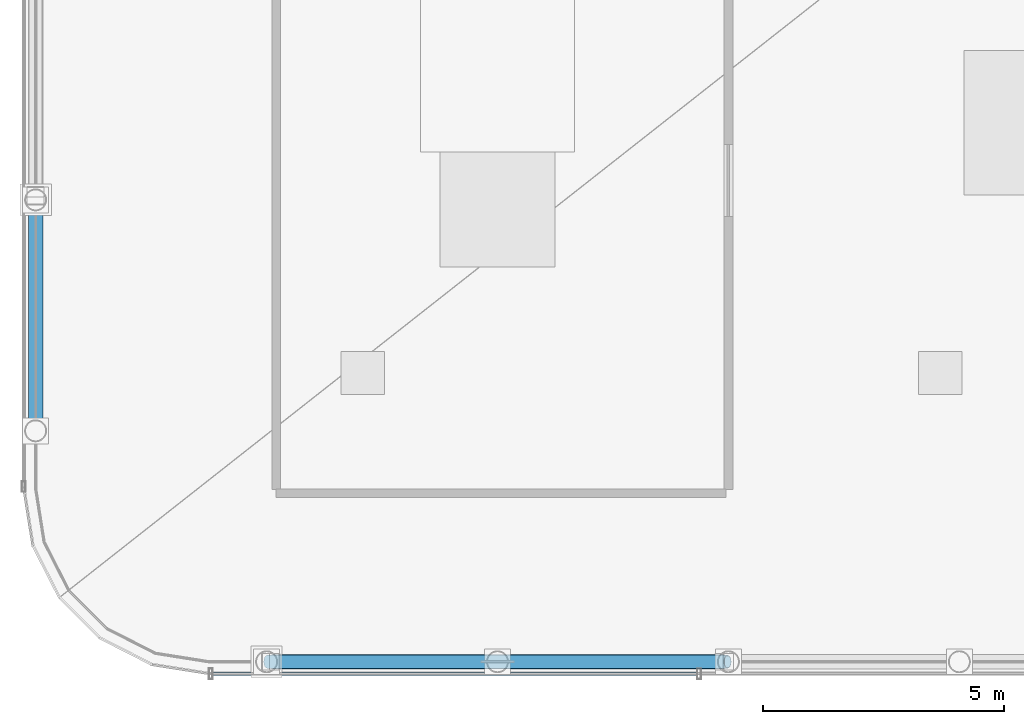
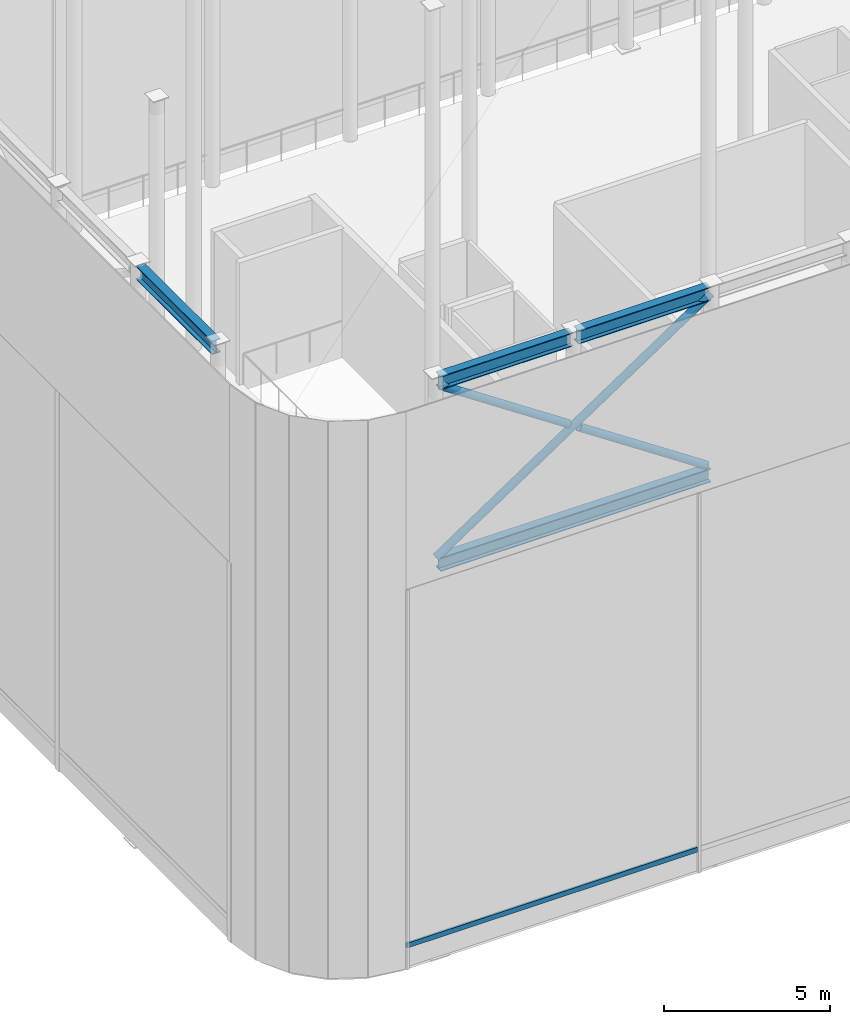
# One storey, part 5 of 42: 4 beams, 4 members, 1 element without a shape of its own.
"""IFC4 building model written with IfcOpenShell, lengths in metres."""

from ifc_helpers import new_model, si_unit, direction, frame, origin, origin_2d, place, context, subcontext, project, spatial, hollow_rectangle, hollow_circle, i_section, extrude, material, layer, layer_set, material_profile, profile_set, type_object, element, aggregate, save


model = new_model("IFC4")

# Units and contexts
model_context = context("Model", 3, precision=1e-05, world=origin(), true_north=direction((0.0, 1.0)))
body_context = subcontext(model_context, "Body", "Model", "MODEL_VIEW")
ifc_project = project(units=[si_unit("LENGTHUNIT", "METRE"), si_unit("AREAUNIT", "SQUARE_METRE"), si_unit("VOLUMEUNIT", "CUBIC_METRE"), si_unit("PLANEANGLEUNIT", "RADIAN"), si_unit("MASSUNIT", "GRAM", prefix="KILO")], contexts=[model_context])

# Site, building, storey
site_placement = place(None, origin())
site = spatial("IfcSite", under=ifc_project, at=site_placement, CompositionType="ELEMENT")
building_placement = place(site_placement, origin())
building = spatial("IfcBuilding", under=site, at=building_placement, Name="Kallvorn Hotel Tower", CompositionType="ELEMENT")
storey_placement = place(building_placement, frame((0.0, 0.0, 306.0)))
storey = spatial("IfcBuildingStorey", under=building, at=storey_placement, Name="ROOF", CompositionType="ELEMENT", Elevation=306.0)

# Beams
ifc_material_1 = material(Name="Structural steel S355JR", Category="steel")
ifc_material_profile_1 = material_profile(ifc_material_1, i_section(OverallWidth=0.300048828125, OverallDepth=0.5, WebThickness=0.014404296875, FlangeThickness=0.028076171875, at=origin_2d()), Name="HE 500 B")
ifc_profile_set_1 = profile_set([ifc_material_profile_1], Name="Structural steel S355JR")
beam_type = type_object("IfcBeamType", Name="BM_HE500B", PredefinedType="SPANDREL", material=ifc_profile_set_1)
beam_1_placement = place(storey_placement, frame((-23.89990234375, -24.0, 21.030029296875), z_axis=(1.0, 0.0, 0.0), x_axis=(0.0, 1.0, 0.0)))
element("IfcBeam", 1, at=beam_1_placement, inside=storey, type_object=beam_type, Name="CROWN FRAME Top Ring Beam 01", PredefinedType="SPANDREL", context=body_context, shape_type="SweptSolid", body=[
    extrude(i_section(OverallWidth=0.300048828125, OverallDepth=0.5, WebThickness=0.014404296875, FlangeThickness=0.028076171875, at=origin_2d()), origin(), (0.0, 0.0, 1.0), 4.599853515625),
])
for number, where, z_axis, x_axis, name in (
    (2, (-19.10009765625, -24.0, 21.030029296875), (1.0, 0.0, 0.0), (0.0, 1.0, 0.0), "CROWN FRAME Top Ring Beam 02"),
    (3, (-28.800048828125, -19.10009765625, 21.030029296875), (0.0, 1.0, 0.0), (-1.0, 0.0, 0.0), "CROWN FRAME Top Ring Beam 19"),
):
    element("IfcBeam", number, at=place(storey_placement, frame(where, z_axis=z_axis, x_axis=x_axis)), inside=storey, type_object=beam_type, Name=name, PredefinedType="SPANDREL", context=body_context, shape_type="SweptSolid", body=[
        extrude(i_section(OverallWidth=0.300048828125, OverallDepth=0.5, WebThickness=0.014404296875, FlangeThickness=0.028076171875, at=origin_2d()), origin(), (0.0, 0.0, 1.0), 4.60009765625),
    ])
beam_2_placement = place(storey_placement, frame((-23.89990234375, -24.0, 14.35009765625), z_axis=(1.0, 0.0, 0.0), x_axis=(0.0, 1.0, 0.0)))
element("IfcBeam", 4, at=beam_2_placement, inside=storey, type_object=beam_type, Name="CROWN FRAME Louvre Sill Tie Beam CS1", PredefinedType="SPANDREL", context=body_context, shape_type="SweptSolid", body=[
    extrude(i_section(OverallWidth=0.300048828125, OverallDepth=0.5, WebThickness=0.014404296875, FlangeThickness=0.028076171875, at=origin_2d()), origin(), (0.0, 0.0, 1.0), 9.39990234375),
])

# Curtain wall, member
ifc_material_2 = material(Name="Thermally broken black-anodised aluminium AA 6063-T6", Category="aluminium")
ifc_layer = layer(ifc_material_2, 0.18994140625)
ifc_layer_set = layer_set([ifc_layer], Name="CW_SYS_7_CROWN_DRUM")
curtain_wall_type = type_object("IfcCurtainWallType", Name="CW_SYS_7_CROWN_DRUM", PredefinedType="USERDEFINED", material=ifc_layer_set)
curtain_wall_placement = place(storey_placement, origin())
curtain_wall = element("IfcCurtainWall", 5, at=curtain_wall_placement, inside=storey, type_object=curtain_wall_type, Name="ROOF Dark-Glass Curtain Wall CW-ROOF-S1", ObjectType="UNITISED CURTAIN WALL", PredefinedType="USERDEFINED")
ifc_material_3 = material(Name="Thermally broken black-anodised aluminium AA 6063-T6", Category="aluminium")
ifc_material_profile_2 = material_profile(ifc_material_3, hollow_rectangle(XDim=0.070068359375, YDim=0.179931640625, WallThickness=0.00390625, at=origin_2d()), Name="TRN 180x70")
ifc_profile_set_2 = profile_set([ifc_material_profile_2], Name="Thermally broken black-anodised aluminium AA 6063-T6")
member_type_1 = type_object("IfcMemberType", Name="CW_TRANSOM_180x70", PredefinedType="USERDEFINED", material=ifc_profile_set_2)
member_1_placement = place(storey_placement, frame((-25.159912109375, -24.25, 0.85009765625), z_axis=(1.0, 0.0, 0.0), x_axis=(0.0, 1.0, 0.0)))
member_1 = element("IfcMember", 6, at=member_1_placement, type_object=member_type_1, Name="CW-ROOF-S1 Transom 00M", ObjectType="TRANSOM", PredefinedType="USERDEFINED", context=body_context, shape_type="SweptSolid", body=[
    extrude(hollow_rectangle(XDim=0.070068359375, YDim=0.179931640625, WallThickness=0.00390625, at=origin_2d()), origin(), (0.0, 0.0, 1.0), 10.10986328125),
])
aggregate(curtain_wall, [member_1])

# Members
ifc_material_4 = material(Name="Structural steel S355J2H", Category="steel")
ifc_material_profile_3 = material_profile(ifc_material_4, hollow_circle(Radius=0.136474609375, WallThickness=0.010009765625, at=origin_2d()), Name="CHS 273x10")
ifc_profile_set_3 = profile_set([ifc_material_profile_3], Name="Structural steel S355J2H")
member_type_2 = type_object("IfcMemberType", Name="MBR_CROWN_CHS273", PredefinedType="BRACE", material=ifc_profile_set_3)
member_2_placement = place(storey_placement, frame((-23.9833984375, -24.0, 14.56103515625), z_axis=(0.832050294338, 0.0, 0.554700196225), x_axis=(0.0, 1.0, 0.0)))
element("IfcMember", 7, at=member_2_placement, inside=storey, type_object=member_type_2, Name="CROWN FRAME Ring X-Brace Continuous Diagonal CS1", PredefinedType="BRACE", context=body_context, shape_type="SweptSolid", body=[
    extrude(hollow_circle(Radius=0.136474609375, WallThickness=0.010009765625, at=origin_2d()), origin(), (0.0, 0.0, 1.0), 11.498046875),
])
for number, where, z_axis, x_axis, name in (
    (8, (-23.81689453125, -24.0, 20.827880859375), (0.832057342826, 0.0, -0.554689623347), (0.0, 1.0, 0.0), "CROWN FRAME Ring X-Brace Split Half-Diagonal CS1-1"),
    (9, (-19.016845703125, -24.0, 17.6279296875), (0.832057342826, 0.0, -0.554689623347), (0.0, 1.0, 0.0), "CROWN FRAME Ring X-Brace Split Half-Diagonal CS1-2"),
):
    element("IfcMember", number, at=place(storey_placement, frame(where, z_axis=z_axis, x_axis=x_axis)), inside=storey, type_object=member_type_2, Name=name, PredefinedType="BRACE", context=body_context, shape_type="SweptSolid", body=[
        extrude(hollow_circle(Radius=0.136474609375, WallThickness=0.010009765625, at=origin_2d()), origin(), (0.0, 0.0, 1.0), 5.328857421875),
    ])

save(model, "model.ifc")
